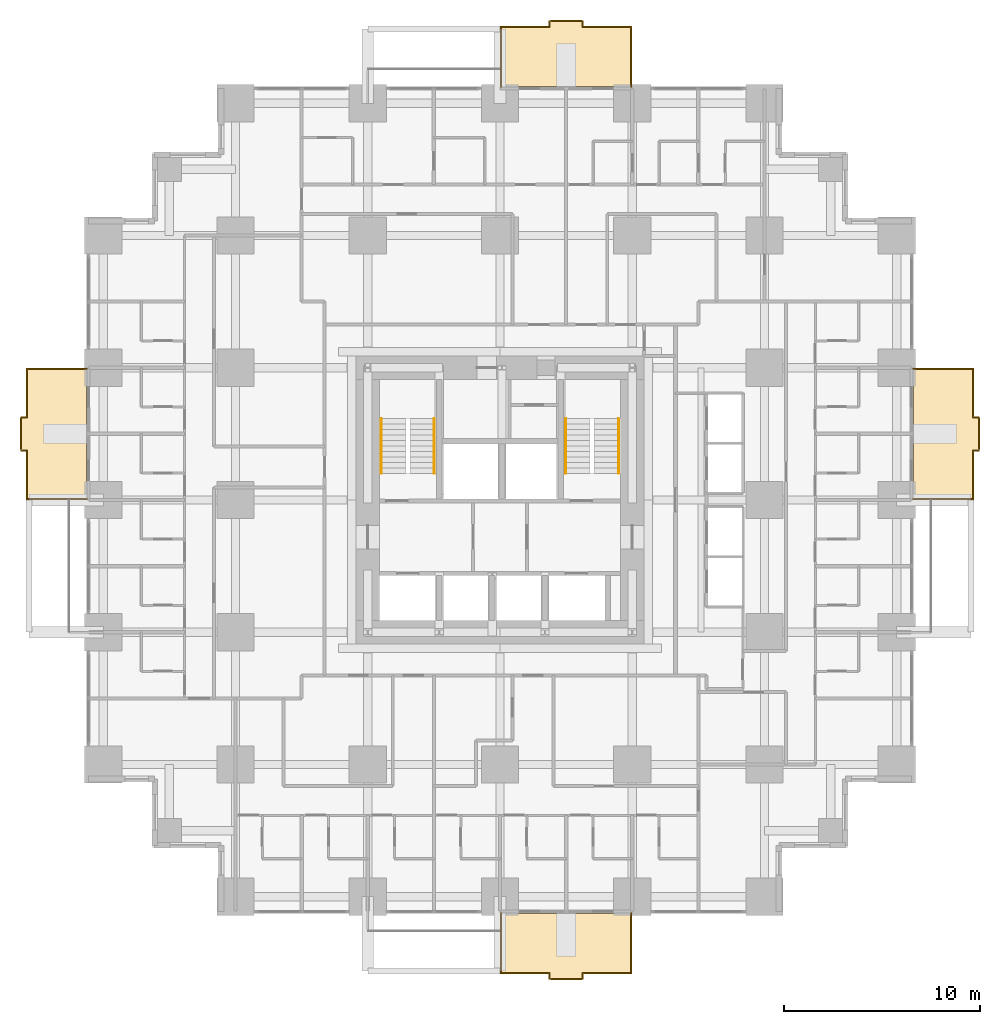
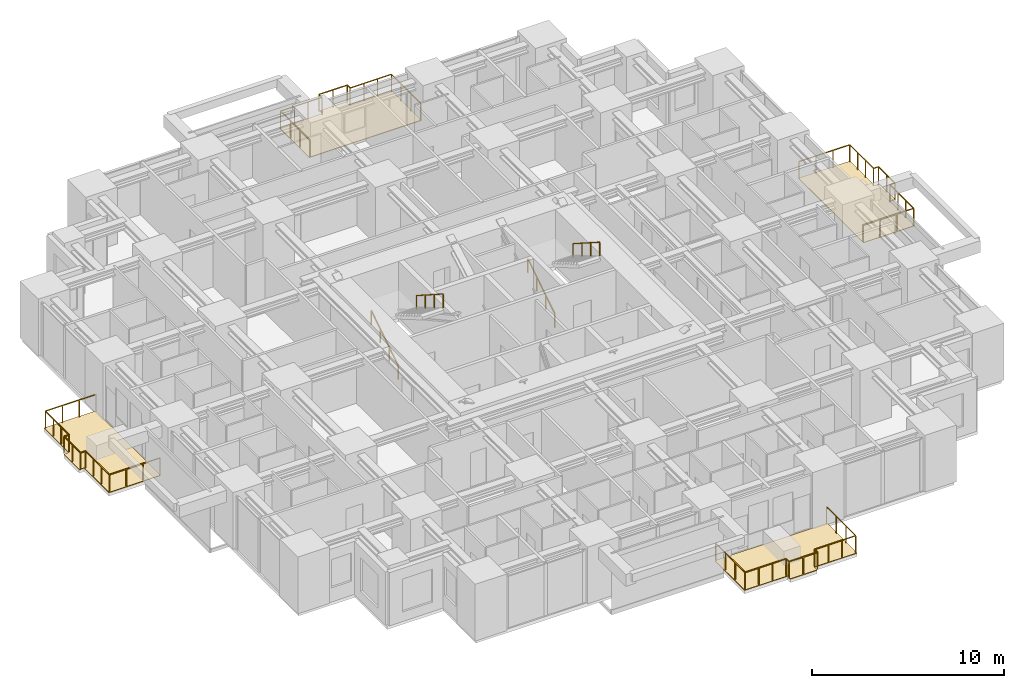
# One storey, part 15 of 15: 8 railings, 4 coverings.
"""IFC4 building model written with IfcOpenShell, lengths in metres."""

import ifcopenshell
import ifcopenshell.guid

model = None  # the IFC model being written
_history = None  # IfcOwnerHistory: only IFC2X3 demands one
_inside = {}  # id of a spatial element -> (the spatial element, [elements in it])
_under = {}  # id of a project, library or spatial element -> (it, [spatial elements below it])
_declared = {}  # id of a project -> (the project, [libraries it declares])
_typed = {}  # id of a type object -> (the type object, [elements of that type])
_made_of = {}  # id of a material, layer set ... -> (it, [elements and type objects made of it])


def new_model(schema):
    """Start an empty IFC model of exactly this schema.

    Asked for "IFC4X3", IfcOpenShell would pick the latest addendum, in which some entities
    have other attributes; the version numbers below select the first issue.
    IFC2X3 requires an IfcOwnerHistory on every rooted entity: one is made here for all.
    """
    global model, _history
    if schema == "IFC4X3":
        model = ifcopenshell.file(schema_version=(4, 3, 0, 0))
    else:
        model = ifcopenshell.file(schema=schema)
    _inside.clear()
    _under.clear()
    _declared.clear()
    _typed.clear()
    _made_of.clear()
    _history = None
    if model.schema == "IFC2X3":
        org = make("IfcOrganization", Name="unknown")
        user = make(
            "IfcPersonAndOrganization",
            ThePerson=make("IfcPerson", FamilyName="unknown"),
            TheOrganization=org,
        )
        app = make(
            "IfcApplication",
            ApplicationDeveloper=org,
            Version="unknown",
            ApplicationFullName="unknown",
            ApplicationIdentifier="unknown",
        )
        _history = make(
            "IfcOwnerHistory",
            OwningUser=user,
            OwningApplication=app,
            ChangeAction="ADDED",
            CreationDate=0,
        )
    return model


def make(cls, **values):
    """One entity of the class cls with the attributes given. An attribute that is None is left unset."""
    return model.create_entity(
        cls, **{name: value for name, value in values.items() if value is not None}
    )


def rooted(cls, **values):
    """An entity with a GlobalId (a new one), such as an element, a storey or a relation."""
    return make(cls, GlobalId=ifcopenshell.guid.new(), OwnerHistory=_history, **values)


def si_unit(unit_type, name, prefix=None):
    """IfcSIUnit, for example si_unit("LENGTHUNIT", "METRE", prefix="MILLI")."""
    return make("IfcSIUnit", UnitType=unit_type, Prefix=prefix, Name=name)


def assignment(units):
    """IfcUnitAssignment: the units of a project."""
    return None if units is None else make("IfcUnitAssignment", Units=units)


def point(xyz):
    """IfcCartesianPoint."""
    return None if xyz is None else make("IfcCartesianPoint", Coordinates=xyz)


def direction(xyz):
    """IfcDirection."""
    return None if xyz is None else make("IfcDirection", DirectionRatios=xyz)


def frame(location, z_axis=None, x_axis=None):
    """IfcAxis2Placement3D, a coordinate frame: its origin and axes. An axis left out is left unset."""
    return make(
        "IfcAxis2Placement3D",
        Location=point(location),
        Axis=direction(z_axis),
        RefDirection=direction(x_axis),
    )


def frame_2d(location, x_axis=None):
    """IfcAxis2Placement2D, a coordinate frame in the plane: its origin and x axis."""
    return make(
        "IfcAxis2Placement2D", Location=point(location), RefDirection=direction(x_axis)
    )


def origin():
    """The frame at (0, 0, 0) with its axes left unset."""
    return frame((0.0, 0.0, 0.0))


def origin_2d():
    """The frame at (0, 0) in the plane with its x axis left unset."""
    return frame_2d((0.0, 0.0))


def place(relative_to, where):
    """IfcLocalPlacement: puts the frame where relative to a parent placement (None: the world)."""
    return make(
        "IfcLocalPlacement", PlacementRelTo=relative_to, RelativePlacement=where
    )


def context(
    kind, dimensions, precision=None, world=None, true_north=None, identifier=None
):
    """IfcGeometricRepresentationContext, for example the 3D "Model" context."""
    return make(
        "IfcGeometricRepresentationContext",
        ContextIdentifier=identifier,
        ContextType=kind,
        CoordinateSpaceDimension=dimensions,
        Precision=precision,
        WorldCoordinateSystem=world,
        TrueNorth=true_north,
    )


def subcontext(parent, identifier, kind, view, scale=None):
    """IfcGeometricRepresentationSubContext, for example "Body" below "Model"."""
    return make(
        "IfcGeometricRepresentationSubContext",
        ContextIdentifier=identifier,
        ContextType=kind,
        ParentContext=parent,
        TargetScale=scale,
        TargetView=view,
    )


def project(units=None, contexts=None):
    """IfcProject with its units and contexts."""
    return rooted(
        "IfcProject",
        Name="project",
        RepresentationContexts=contexts,
        UnitsInContext=assignment(units),
    )


def spatial(cls, under=None, at=None, **own):
    """A site, building, storey or space (cls), placed at a placement, below another one or the project."""
    s = rooted(cls, ObjectPlacement=at, **own)
    if under is not None:
        _under.setdefault(under.id(), (under, []))[1].append(s)
    return s


def polyline(points):
    """IfcPolyline through the points."""
    return make("IfcPolyline", Points=[point(p) for p in points])


def profile(cls, at=None, kind="AREA", **sizes):
    """A parametric profile (cls). Its sizes go by their IFC names, for example OverallWidth=200.0."""
    return make(cls, ProfileType=kind, Position=at, **sizes)


def rectangle(**sizes):
    """IfcRectangleProfileDef."""
    return profile("IfcRectangleProfileDef", **sizes)


def outline(outer, holes=None, kind="AREA"):
    """IfcArbitraryClosedProfileDef: a profile drawn as a closed curve; with holes, ...WithVoids."""
    if holes is None:
        return make("IfcArbitraryClosedProfileDef", ProfileType=kind, OuterCurve=outer)
    return make(
        "IfcArbitraryProfileDefWithVoids",
        ProfileType=kind,
        OuterCurve=outer,
        InnerCurves=holes,
    )


def extrude(swept, where, along, depth):
    """IfcExtrudedAreaSolid: the profile swept, set in the frame where, extruded along a direction by depth."""
    return make(
        "IfcExtrudedAreaSolid",
        SweptArea=swept,
        Position=where,
        ExtrudedDirection=direction(along),
        Depth=depth,
    )


def shape(context_of_items, identifier, shape_type, items):
    """IfcShapeRepresentation: the items that make up one representation, for example the "Body"."""
    return make(
        "IfcShapeRepresentation",
        ContextOfItems=context_of_items,
        RepresentationIdentifier=identifier,
        RepresentationType=shape_type,
        Items=items,
    )


def material(Name=None, Category=None):
    """IfcMaterial."""
    return make("IfcMaterial", Name=Name, Category=Category)


def layer(
    of_material, thickness, ventilated=None, Name=None, Category=None, Priority=None
):
    """IfcMaterialLayer: one layer of a wall or slab, of a material (None: an air gap)."""
    return make(
        "IfcMaterialLayer",
        Material=of_material,
        LayerThickness=thickness,
        IsVentilated=ventilated,
        Name=Name,
        Category=Category,
        Priority=Priority,
    )


def layer_set(layers, Name=None):
    """IfcMaterialLayerSet."""
    return make("IfcMaterialLayerSet", MaterialLayers=layers, LayerSetName=Name)


def made_of(thing, what):
    """Note that an element or type object is made of a material, layer set ...; save() writes the relation."""
    if what is not None:
        _made_of.setdefault(what.id(), (what, []))[1].append(thing)
    return thing


def type_object(cls, material=None, **own):
    """A type object (cls), such as IfcWallType, which elements share."""
    return made_of(rooted(cls, **own), material)


def element(
    cls,
    number,
    at=None,
    inside=None,
    cuts=None,
    type_object=None,
    material=None,
    context=None,
    identifier="Body",
    shape_type=None,
    held_by="IfcProductDefinitionShape",
    body=None,
    shapes=None,
    **own,
):
    """One element of the class cls, such as IfcWall. Its Tag is "e" and its number.

    at: its placement. inside: the storey or other place that contains it. cuts: it is an
    opening in that element (IfcRelVoidsElement). A single representation is given by context,
    identifier, shape_type and body (its items); several are given by shapes. held_by: the class
    of the entity that holds the representations. save() writes the other relations.
    """
    e = rooted(cls, Tag="e%d" % number, ObjectPlacement=at, **own)
    if body is not None:
        shapes = [shape(context, identifier, shape_type, body)]
    if shapes is not None:
        e.Representation = make(held_by, Representations=shapes)
    if inside is not None:
        _inside.setdefault(inside.id(), (inside, []))[1].append(e)
    if cuts is not None:
        rooted(
            "IfcRelVoidsElement", RelatingBuildingElement=cuts, RelatedOpeningElement=e
        )
    if type_object is not None:
        _typed.setdefault(type_object.id(), (type_object, []))[1].append(e)
    return made_of(e, material)


def aggregate(whole, parts):
    """IfcRelAggregates: a whole, such as a stair, and the parts it consists of."""
    return rooted("IfcRelAggregates", RelatingObject=whole, RelatedObjects=parts)


def save(model, path):
    """Write the relations noted so far, then the file.

    IfcRelAggregates (storeys below a building ...), IfcRelContainedInSpatialStructure (elements
    in a storey), IfcRelDefinesByType, IfcRelAssociatesMaterial and IfcRelDeclares: one each for
    every whole, place, type object, material and project.
    """
    for whole, parts in _under.values():
        aggregate(whole, parts)
    for where, things in _inside.values():
        rooted(
            "IfcRelContainedInSpatialStructure",
            RelatedElements=things,
            RelatingStructure=where,
        )
    for kind, things in _typed.values():
        rooted("IfcRelDefinesByType", RelatedObjects=things, RelatingType=kind)
    for what, things in _made_of.values():
        rooted("IfcRelAssociatesMaterial", RelatedObjects=things, RelatingMaterial=what)
    for by, libraries in _declared.values():
        rooted("IfcRelDeclares", RelatingContext=by, RelatedDefinitions=libraries)
    model.write(path)


model = new_model("IFC4")

# Units and contexts
model_context = context("Model", 3, precision=1e-05, world=origin(), true_north=direction((0.0, 1.0)))
body_context = subcontext(model_context, "Body", "Model", "MODEL_VIEW")
ifc_project = project(units=[si_unit("LENGTHUNIT", "METRE"), si_unit("AREAUNIT", "SQUARE_METRE"), si_unit("VOLUMEUNIT", "CUBIC_METRE"), si_unit("PLANEANGLEUNIT", "RADIAN"), si_unit("MASSUNIT", "GRAM", prefix="KILO")], contexts=[model_context])

# Site, building, storey
site_placement = place(None, origin())
site = spatial("IfcSite", under=ifc_project, at=site_placement, CompositionType="ELEMENT")
building_placement = place(site_placement, origin())
building = spatial("IfcBuilding", under=site, at=building_placement, Name="Nyansa Garden Tower", CompositionType="ELEMENT")
storey_placement = place(building_placement, frame((0.0, 0.0, 36.0)))
storey = spatial("IfcBuildingStorey", under=building, at=storey_placement, Name="L09", CompositionType="ELEMENT", Elevation=36.0)

# Coverings
ifc_material_1 = material(Name="Hardwood decking on pedestals", Category="wood")
ifc_layer = layer(ifc_material_1, 0.0400390625)
ifc_layer_set = layer_set([ifc_layer], Name="Balcony decking DK40")
covering_type = type_object("IfcCoveringType", Name="Balcony decking DK40", PredefinedType="FLOORING", material=ifc_layer_set)
covering_1_placement = place(storey_placement, frame((0.0, 0.0, -0.0400390625)))
element("IfcCovering", 1, at=covering_1_placement, inside=storey, type_object=covering_type, Name="Balcony decking L09", PredefinedType="FLOORING", context=body_context, shape_type="SweptSolid", body=[
    extrude(outline(polyline([(20.25, -0.85009765625), (27.0, -0.85009765625), (27.0, -3.949951171875), (24.425048828125, -3.949951171875), (24.425048828125, -4.25), (22.824951171875, -4.25), (22.824951171875, -3.949951171875), (20.25, -3.949951171875), (20.25, -0.85009765625)])), origin(), (0.0, 0.0, 1.0), 0.0400390625),
])
covering_2_placement = place(storey_placement, frame((0.0, 0.0, -0.0400390625)))
element("IfcCovering", 2, at=covering_2_placement, inside=storey, type_object=covering_type, Name="Balcony decking L09", PredefinedType="FLOORING", context=body_context, shape_type="SweptSolid", body=[
    extrude(outline(polyline([(41.35009765625, 20.25), (41.35009765625, 27.0), (44.449951171875, 27.0), (44.449951171875, 24.425048828125), (44.75, 24.425048828125), (44.75, 22.824951171875), (44.449951171875, 22.824951171875), (44.449951171875, 20.25), (41.35009765625, 20.25)])), origin(), (0.0, 0.0, 1.0), 0.0400390625),
])
covering_3_placement = place(storey_placement, frame((0.0, 0.0, -0.0400390625)))
element("IfcCovering", 3, at=covering_3_placement, inside=storey, type_object=covering_type, Name="Balcony decking L09", PredefinedType="FLOORING", context=body_context, shape_type="SweptSolid", body=[
    extrude(outline(polyline([(20.25, 41.35009765625), (27.0, 41.35009765625), (27.0, 44.449951171875), (24.425048828125, 44.449951171875), (24.425048828125, 44.75), (22.824951171875, 44.75), (22.824951171875, 44.449951171875), (20.25, 44.449951171875), (20.25, 41.35009765625)])), origin(), (0.0, 0.0, 1.0), 0.0400390625),
])
covering_4_placement = place(storey_placement, frame((0.0, 0.0, -0.0400390625)))
element("IfcCovering", 4, at=covering_4_placement, inside=storey, type_object=covering_type, Name="Balcony decking L09", PredefinedType="FLOORING", context=body_context, shape_type="SweptSolid", body=[
    extrude(outline(polyline([(-0.85009765625, 20.25), (-0.85009765625, 27.0), (-3.949951171875, 27.0), (-3.949951171875, 24.425048828125), (-4.25, 24.425048828125), (-4.25, 22.824951171875), (-3.949951171875, 22.824951171875), (-3.949951171875, 20.25), (-0.85009765625, 20.25)])), origin(), (0.0, 0.0, 1.0), 0.0400390625),
])

# Railings
ifc_material_2 = material(Name="Black powder-coated steel balusters, laminated glass infill", Category="steel")
railing_type_1 = type_object("IfcRailingType", Name="Balcony guard G1", PredefinedType="GUARDRAIL", material=ifc_material_2)
railing_1_placement = place(storey_placement, frame((20.300048828125, -0.85009765625, 0.0)))
element("IfcRailing", 5, at=railing_1_placement, inside=storey, type_object=railing_type_1, Name="Balcony guard L09", PredefinedType="GUARDRAIL", context=body_context, shape_type="SweptSolid", body=[
    extrude(rectangle(XDim=0.048095703125, YDim=0.048095703125, at=origin_2d()), frame((0.0, 0.0, 1.076171875), z_axis=(0.0, -1.0, 0.0), x_axis=(1.0, 0.0, 0.0)), (0.0, 0.0, 1.0), 3.0498046875),
    extrude(rectangle(XDim=0.048095703125, YDim=0.048095703125, at=origin_2d()), frame((0.0, -3.0498046875, 1.076171875), z_axis=(1.0, 0.0, 0.0), x_axis=(0.0, 1.0, 0.0)), (0.0, 0.0, 1.0), 2.474853515625),
    extrude(rectangle(XDim=0.048095703125, YDim=0.048095703125, at=origin_2d()), frame((2.474853515625, -3.0498046875, 1.076171875), z_axis=(0.0, -1.0, 0.0), x_axis=(1.0, 0.0, 0.0)), (0.0, 0.0, 1.0), 0.300048828125),
    extrude(rectangle(XDim=0.048095703125, YDim=0.048095703125, at=origin_2d()), frame((2.474853515625, -3.349853515625, 1.076171875), z_axis=(1.0, 0.0, 0.0), x_axis=(0.0, 1.0, 0.0)), (0.0, 0.0, 1.0), 1.7001953125),
    extrude(rectangle(XDim=0.048095703125, YDim=0.048095703125, at=origin_2d()), frame((4.175048828125, -3.349853515625, 1.076171875), z_axis=(0.0, 1.0, 0.0), x_axis=(-1.0, 0.0, 0.0)), (0.0, 0.0, 1.0), 0.300048828125),
    extrude(rectangle(XDim=0.048095703125, YDim=0.048095703125, at=origin_2d()), frame((4.175048828125, -3.0498046875, 1.076171875), z_axis=(1.0, 0.0, 0.0), x_axis=(0.0, 1.0, 0.0)), (0.0, 0.0, 1.0), 2.474853515625),
    extrude(rectangle(XDim=0.048095703125, YDim=0.048095703125, at=origin_2d()), frame((6.64990234375, -3.0498046875, 1.076171875), z_axis=(0.0, 1.0, 0.0), x_axis=(-1.0, 0.0, 0.0)), (0.0, 0.0, 1.0), 3.0498046875),
    extrude(rectangle(XDim=0.0419921875, YDim=0.0419921875, at=origin_2d()), origin(), (0.0, 0.0, 1.0), 1.052001953125),
    extrude(rectangle(XDim=0.0419921875, YDim=0.0419921875, at=origin_2d()), frame((0.0, -1.0166015625, 0.0)), (0.0, 0.0, 1.0), 1.052001953125),
    extrude(rectangle(XDim=0.0419921875, YDim=0.0419921875, at=origin_2d()), frame((0.0, -2.033203125, 0.0)), (0.0, 0.0, 1.0), 1.052001953125),
    extrude(rectangle(XDim=0.0419921875, YDim=0.0419921875, at=origin_2d()), frame((0.0, -3.0498046875, 0.0)), (0.0, 0.0, 1.0), 1.052001953125),
    extrude(rectangle(XDim=0.0419921875, YDim=0.0419921875, at=origin_2d()), frame((0.824951171875, -3.0498046875, 0.0)), (0.0, 0.0, 1.0), 1.052001953125),
    extrude(rectangle(XDim=0.0419921875, YDim=0.0419921875, at=origin_2d()), frame((1.64990234375, -3.0498046875, 0.0)), (0.0, 0.0, 1.0), 1.052001953125),
    extrude(rectangle(XDim=0.0419921875, YDim=0.0419921875, at=origin_2d()), frame((2.474853515625, -3.0498046875, 0.0)), (0.0, 0.0, 1.0), 1.052001953125),
    extrude(rectangle(XDim=0.0419921875, YDim=0.0419921875, at=origin_2d()), frame((2.474853515625, -3.349853515625, 0.0)), (0.0, 0.0, 1.0), 1.052001953125),
    extrude(rectangle(XDim=0.0419921875, YDim=0.0419921875, at=origin_2d()), frame((3.324951171875, -3.349853515625, 0.0)), (0.0, 0.0, 1.0), 1.052001953125),
    extrude(rectangle(XDim=0.0419921875, YDim=0.0419921875, at=origin_2d()), frame((4.175048828125, -3.349853515625, 0.0)), (0.0, 0.0, 1.0), 1.052001953125),
    extrude(rectangle(XDim=0.0419921875, YDim=0.0419921875, at=origin_2d()), frame((4.175048828125, -3.0498046875, 0.0)), (0.0, 0.0, 1.0), 1.052001953125),
    extrude(rectangle(XDim=0.0419921875, YDim=0.0419921875, at=origin_2d()), frame((5.0, -3.0498046875, 0.0)), (0.0, 0.0, 1.0), 1.052001953125),
    extrude(rectangle(XDim=0.0419921875, YDim=0.0419921875, at=origin_2d()), frame((5.824951171875, -3.0498046875, 0.0)), (0.0, 0.0, 1.0), 1.052001953125),
    extrude(rectangle(XDim=0.0419921875, YDim=0.0419921875, at=origin_2d()), frame((6.64990234375, -3.0498046875, 0.0)), (0.0, 0.0, 1.0), 1.052001953125),
    extrude(rectangle(XDim=0.0419921875, YDim=0.0419921875, at=origin_2d()), frame((6.64990234375, -2.033203125, 0.0)), (0.0, 0.0, 1.0), 1.052001953125),
    extrude(rectangle(XDim=0.0419921875, YDim=0.0419921875, at=origin_2d()), frame((6.64990234375, -1.0166015625, 0.0)), (0.0, 0.0, 1.0), 1.052001953125),
    extrude(rectangle(XDim=0.0419921875, YDim=0.0419921875, at=origin_2d()), frame((6.64990234375, 0.0, 0.0)), (0.0, 0.0, 1.0), 1.052001953125),
])
railing_2_placement = place(storey_placement, frame((41.35009765625, 20.300048828125, 0.0)))
element("IfcRailing", 6, at=railing_2_placement, inside=storey, type_object=railing_type_1, Name="Balcony guard L09", PredefinedType="GUARDRAIL", context=body_context, shape_type="SweptSolid", body=[
    extrude(rectangle(XDim=0.048095703125, YDim=0.048095703125, at=origin_2d()), frame((0.0, 0.0, 1.076171875), z_axis=(1.0, 0.0, 0.0), x_axis=(0.0, 1.0, 0.0)), (0.0, 0.0, 1.0), 3.0498046875),
    extrude(rectangle(XDim=0.048095703125, YDim=0.048095703125, at=origin_2d()), frame((3.0498046875, 0.0, 1.076171875), z_axis=(0.0, 1.0, 0.0), x_axis=(-1.0, 0.0, 0.0)), (0.0, 0.0, 1.0), 2.474853515625),
    extrude(rectangle(XDim=0.048095703125, YDim=0.048095703125, at=origin_2d()), frame((3.0498046875, 2.474853515625, 1.076171875), z_axis=(1.0, 0.0, 0.0), x_axis=(0.0, 1.0, 0.0)), (0.0, 0.0, 1.0), 0.300048828125),
    extrude(rectangle(XDim=0.048095703125, YDim=0.048095703125, at=origin_2d()), frame((3.349853515625, 2.474853515625, 1.076171875), z_axis=(0.0, 1.0, 0.0), x_axis=(-1.0, 0.0, 0.0)), (0.0, 0.0, 1.0), 1.7001953125),
    extrude(rectangle(XDim=0.048095703125, YDim=0.048095703125, at=origin_2d()), frame((3.349853515625, 4.175048828125, 1.076171875), z_axis=(-1.0, 0.0, 0.0), x_axis=(0.0, -1.0, 0.0)), (0.0, 0.0, 1.0), 0.300048828125),
    extrude(rectangle(XDim=0.048095703125, YDim=0.048095703125, at=origin_2d()), frame((3.0498046875, 4.175048828125, 1.076171875), z_axis=(0.0, 1.0, 0.0), x_axis=(-1.0, 0.0, 0.0)), (0.0, 0.0, 1.0), 2.474853515625),
    extrude(rectangle(XDim=0.048095703125, YDim=0.048095703125, at=origin_2d()), frame((3.0498046875, 6.64990234375, 1.076171875), z_axis=(-1.0, 0.0, 0.0), x_axis=(0.0, -1.0, 0.0)), (0.0, 0.0, 1.0), 3.0498046875),
    extrude(rectangle(XDim=0.0419921875, YDim=0.0419921875, at=origin_2d()), origin(), (0.0, 0.0, 1.0), 1.052001953125),
    extrude(rectangle(XDim=0.0419921875, YDim=0.0419921875, at=origin_2d()), frame((1.0166015625, 0.0, 0.0)), (0.0, 0.0, 1.0), 1.052001953125),
    extrude(rectangle(XDim=0.0419921875, YDim=0.0419921875, at=origin_2d()), frame((2.033203125, 0.0, 0.0)), (0.0, 0.0, 1.0), 1.052001953125),
    extrude(rectangle(XDim=0.0419921875, YDim=0.0419921875, at=origin_2d()), frame((3.0498046875, 0.0, 0.0)), (0.0, 0.0, 1.0), 1.052001953125),
    extrude(rectangle(XDim=0.0419921875, YDim=0.0419921875, at=origin_2d()), frame((3.0498046875, 0.824951171875, 0.0)), (0.0, 0.0, 1.0), 1.052001953125),
    extrude(rectangle(XDim=0.0419921875, YDim=0.0419921875, at=origin_2d()), frame((3.0498046875, 1.64990234375, 0.0)), (0.0, 0.0, 1.0), 1.052001953125),
    extrude(rectangle(XDim=0.0419921875, YDim=0.0419921875, at=origin_2d()), frame((3.0498046875, 2.474853515625, 0.0)), (0.0, 0.0, 1.0), 1.052001953125),
    extrude(rectangle(XDim=0.0419921875, YDim=0.0419921875, at=origin_2d()), frame((3.349853515625, 2.474853515625, 0.0)), (0.0, 0.0, 1.0), 1.052001953125),
    extrude(rectangle(XDim=0.0419921875, YDim=0.0419921875, at=origin_2d()), frame((3.349853515625, 3.324951171875, 0.0)), (0.0, 0.0, 1.0), 1.052001953125),
    extrude(rectangle(XDim=0.0419921875, YDim=0.0419921875, at=origin_2d()), frame((3.349853515625, 4.175048828125, 0.0)), (0.0, 0.0, 1.0), 1.052001953125),
    extrude(rectangle(XDim=0.0419921875, YDim=0.0419921875, at=origin_2d()), frame((3.0498046875, 4.175048828125, 0.0)), (0.0, 0.0, 1.0), 1.052001953125),
    extrude(rectangle(XDim=0.0419921875, YDim=0.0419921875, at=origin_2d()), frame((3.0498046875, 5.0, 0.0)), (0.0, 0.0, 1.0), 1.052001953125),
    extrude(rectangle(XDim=0.0419921875, YDim=0.0419921875, at=origin_2d()), frame((3.0498046875, 5.824951171875, 0.0)), (0.0, 0.0, 1.0), 1.052001953125),
    extrude(rectangle(XDim=0.0419921875, YDim=0.0419921875, at=origin_2d()), frame((3.0498046875, 6.64990234375, 0.0)), (0.0, 0.0, 1.0), 1.052001953125),
    extrude(rectangle(XDim=0.0419921875, YDim=0.0419921875, at=origin_2d()), frame((2.033203125, 6.64990234375, 0.0)), (0.0, 0.0, 1.0), 1.052001953125),
    extrude(rectangle(XDim=0.0419921875, YDim=0.0419921875, at=origin_2d()), frame((1.0166015625, 6.64990234375, 0.0)), (0.0, 0.0, 1.0), 1.052001953125),
    extrude(rectangle(XDim=0.0419921875, YDim=0.0419921875, at=origin_2d()), frame((0.0, 6.64990234375, 0.0)), (0.0, 0.0, 1.0), 1.052001953125),
])
railing_3_placement = place(storey_placement, frame((20.300048828125, 41.35009765625, 0.0)))
element("IfcRailing", 7, at=railing_3_placement, inside=storey, type_object=railing_type_1, Name="Balcony guard L09", PredefinedType="GUARDRAIL", context=body_context, shape_type="SweptSolid", body=[
    extrude(rectangle(XDim=0.048095703125, YDim=0.048095703125, at=origin_2d()), frame((0.0, 0.0, 1.076171875), z_axis=(0.0, 1.0, 0.0), x_axis=(-1.0, 0.0, 0.0)), (0.0, 0.0, 1.0), 3.0498046875),
    extrude(rectangle(XDim=0.048095703125, YDim=0.048095703125, at=origin_2d()), frame((0.0, 3.0498046875, 1.076171875), z_axis=(1.0, 0.0, 0.0), x_axis=(0.0, 1.0, 0.0)), (0.0, 0.0, 1.0), 2.474853515625),
    extrude(rectangle(XDim=0.048095703125, YDim=0.048095703125, at=origin_2d()), frame((2.474853515625, 3.0498046875, 1.076171875), z_axis=(0.0, 1.0, 0.0), x_axis=(-1.0, 0.0, 0.0)), (0.0, 0.0, 1.0), 0.300048828125),
    extrude(rectangle(XDim=0.048095703125, YDim=0.048095703125, at=origin_2d()), frame((2.474853515625, 3.349853515625, 1.076171875), z_axis=(1.0, 0.0, 0.0), x_axis=(0.0, 1.0, 0.0)), (0.0, 0.0, 1.0), 1.7001953125),
    extrude(rectangle(XDim=0.048095703125, YDim=0.048095703125, at=origin_2d()), frame((4.175048828125, 3.349853515625, 1.076171875), z_axis=(0.0, -1.0, 0.0), x_axis=(1.0, 0.0, 0.0)), (0.0, 0.0, 1.0), 0.300048828125),
    extrude(rectangle(XDim=0.048095703125, YDim=0.048095703125, at=origin_2d()), frame((4.175048828125, 3.0498046875, 1.076171875), z_axis=(1.0, 0.0, 0.0), x_axis=(0.0, 1.0, 0.0)), (0.0, 0.0, 1.0), 2.474853515625),
    extrude(rectangle(XDim=0.048095703125, YDim=0.048095703125, at=origin_2d()), frame((6.64990234375, 3.0498046875, 1.076171875), z_axis=(0.0, -1.0, 0.0), x_axis=(1.0, 0.0, 0.0)), (0.0, 0.0, 1.0), 3.0498046875),
    extrude(rectangle(XDim=0.0419921875, YDim=0.0419921875, at=origin_2d()), origin(), (0.0, 0.0, 1.0), 1.052001953125),
    extrude(rectangle(XDim=0.0419921875, YDim=0.0419921875, at=origin_2d()), frame((0.0, 1.0166015625, 0.0)), (0.0, 0.0, 1.0), 1.052001953125),
    extrude(rectangle(XDim=0.0419921875, YDim=0.0419921875, at=origin_2d()), frame((0.0, 2.033203125, 0.0)), (0.0, 0.0, 1.0), 1.052001953125),
    extrude(rectangle(XDim=0.0419921875, YDim=0.0419921875, at=origin_2d()), frame((0.0, 3.0498046875, 0.0)), (0.0, 0.0, 1.0), 1.052001953125),
    extrude(rectangle(XDim=0.0419921875, YDim=0.0419921875, at=origin_2d()), frame((0.824951171875, 3.0498046875, 0.0)), (0.0, 0.0, 1.0), 1.052001953125),
    extrude(rectangle(XDim=0.0419921875, YDim=0.0419921875, at=origin_2d()), frame((1.64990234375, 3.0498046875, 0.0)), (0.0, 0.0, 1.0), 1.052001953125),
    extrude(rectangle(XDim=0.0419921875, YDim=0.0419921875, at=origin_2d()), frame((2.474853515625, 3.0498046875, 0.0)), (0.0, 0.0, 1.0), 1.052001953125),
    extrude(rectangle(XDim=0.0419921875, YDim=0.0419921875, at=origin_2d()), frame((2.474853515625, 3.349853515625, 0.0)), (0.0, 0.0, 1.0), 1.052001953125),
    extrude(rectangle(XDim=0.0419921875, YDim=0.0419921875, at=origin_2d()), frame((3.324951171875, 3.349853515625, 0.0)), (0.0, 0.0, 1.0), 1.052001953125),
    extrude(rectangle(XDim=0.0419921875, YDim=0.0419921875, at=origin_2d()), frame((4.175048828125, 3.349853515625, 0.0)), (0.0, 0.0, 1.0), 1.052001953125),
    extrude(rectangle(XDim=0.0419921875, YDim=0.0419921875, at=origin_2d()), frame((4.175048828125, 3.0498046875, 0.0)), (0.0, 0.0, 1.0), 1.052001953125),
    extrude(rectangle(XDim=0.0419921875, YDim=0.0419921875, at=origin_2d()), frame((5.0, 3.0498046875, 0.0)), (0.0, 0.0, 1.0), 1.052001953125),
    extrude(rectangle(XDim=0.0419921875, YDim=0.0419921875, at=origin_2d()), frame((5.824951171875, 3.0498046875, 0.0)), (0.0, 0.0, 1.0), 1.052001953125),
    extrude(rectangle(XDim=0.0419921875, YDim=0.0419921875, at=origin_2d()), frame((6.64990234375, 3.0498046875, 0.0)), (0.0, 0.0, 1.0), 1.052001953125),
    extrude(rectangle(XDim=0.0419921875, YDim=0.0419921875, at=origin_2d()), frame((6.64990234375, 2.033203125, 0.0)), (0.0, 0.0, 1.0), 1.052001953125),
    extrude(rectangle(XDim=0.0419921875, YDim=0.0419921875, at=origin_2d()), frame((6.64990234375, 1.0166015625, 0.0)), (0.0, 0.0, 1.0), 1.052001953125),
    extrude(rectangle(XDim=0.0419921875, YDim=0.0419921875, at=origin_2d()), frame((6.64990234375, 0.0, 0.0)), (0.0, 0.0, 1.0), 1.052001953125),
])
railing_4_placement = place(storey_placement, frame((-0.85009765625, 20.300048828125, 0.0)))
element("IfcRailing", 8, at=railing_4_placement, inside=storey, type_object=railing_type_1, Name="Balcony guard L09", PredefinedType="GUARDRAIL", context=body_context, shape_type="SweptSolid", body=[
    extrude(rectangle(XDim=0.048095703125, YDim=0.048095703125, at=origin_2d()), frame((0.0, 0.0, 1.076171875), z_axis=(-1.0, 0.0, 0.0), x_axis=(0.0, -1.0, 0.0)), (0.0, 0.0, 1.0), 3.0498046875),
    extrude(rectangle(XDim=0.048095703125, YDim=0.048095703125, at=origin_2d()), frame((-3.0498046875, 0.0, 1.076171875), z_axis=(0.0, 1.0, 0.0), x_axis=(-1.0, 0.0, 0.0)), (0.0, 0.0, 1.0), 2.474853515625),
    extrude(rectangle(XDim=0.048095703125, YDim=0.048095703125, at=origin_2d()), frame((-3.0498046875, 2.474853515625, 1.076171875), z_axis=(-1.0, 0.0, 0.0), x_axis=(0.0, -1.0, 0.0)), (0.0, 0.0, 1.0), 0.300048828125),
    extrude(rectangle(XDim=0.048095703125, YDim=0.048095703125, at=origin_2d()), frame((-3.349853515625, 2.474853515625, 1.076171875), z_axis=(0.0, 1.0, 0.0), x_axis=(-1.0, 0.0, 0.0)), (0.0, 0.0, 1.0), 1.7001953125),
    extrude(rectangle(XDim=0.048095703125, YDim=0.048095703125, at=origin_2d()), frame((-3.349853515625, 4.175048828125, 1.076171875), z_axis=(1.0, 0.0, 0.0), x_axis=(0.0, 1.0, 0.0)), (0.0, 0.0, 1.0), 0.300048828125),
    extrude(rectangle(XDim=0.048095703125, YDim=0.048095703125, at=origin_2d()), frame((-3.0498046875, 4.175048828125, 1.076171875), z_axis=(0.0, 1.0, 0.0), x_axis=(-1.0, 0.0, 0.0)), (0.0, 0.0, 1.0), 2.474853515625),
    extrude(rectangle(XDim=0.048095703125, YDim=0.048095703125, at=origin_2d()), frame((-3.0498046875, 6.64990234375, 1.076171875), z_axis=(1.0, 0.0, 0.0), x_axis=(0.0, 1.0, 0.0)), (0.0, 0.0, 1.0), 3.0498046875),
    extrude(rectangle(XDim=0.0419921875, YDim=0.0419921875, at=origin_2d()), origin(), (0.0, 0.0, 1.0), 1.052001953125),
    extrude(rectangle(XDim=0.0419921875, YDim=0.0419921875, at=origin_2d()), frame((-1.0166015625, 0.0, 0.0)), (0.0, 0.0, 1.0), 1.052001953125),
    extrude(rectangle(XDim=0.0419921875, YDim=0.0419921875, at=origin_2d()), frame((-2.033203125, 0.0, 0.0)), (0.0, 0.0, 1.0), 1.052001953125),
    extrude(rectangle(XDim=0.0419921875, YDim=0.0419921875, at=origin_2d()), frame((-3.0498046875, 0.0, 0.0)), (0.0, 0.0, 1.0), 1.052001953125),
    extrude(rectangle(XDim=0.0419921875, YDim=0.0419921875, at=origin_2d()), frame((-3.0498046875, 0.824951171875, 0.0)), (0.0, 0.0, 1.0), 1.052001953125),
    extrude(rectangle(XDim=0.0419921875, YDim=0.0419921875, at=origin_2d()), frame((-3.0498046875, 1.64990234375, 0.0)), (0.0, 0.0, 1.0), 1.052001953125),
    extrude(rectangle(XDim=0.0419921875, YDim=0.0419921875, at=origin_2d()), frame((-3.0498046875, 2.474853515625, 0.0)), (0.0, 0.0, 1.0), 1.052001953125),
    extrude(rectangle(XDim=0.0419921875, YDim=0.0419921875, at=origin_2d()), frame((-3.349853515625, 2.474853515625, 0.0)), (0.0, 0.0, 1.0), 1.052001953125),
    extrude(rectangle(XDim=0.0419921875, YDim=0.0419921875, at=origin_2d()), frame((-3.349853515625, 3.324951171875, 0.0)), (0.0, 0.0, 1.0), 1.052001953125),
    extrude(rectangle(XDim=0.0419921875, YDim=0.0419921875, at=origin_2d()), frame((-3.349853515625, 4.175048828125, 0.0)), (0.0, 0.0, 1.0), 1.052001953125),
    extrude(rectangle(XDim=0.0419921875, YDim=0.0419921875, at=origin_2d()), frame((-3.0498046875, 4.175048828125, 0.0)), (0.0, 0.0, 1.0), 1.052001953125),
    extrude(rectangle(XDim=0.0419921875, YDim=0.0419921875, at=origin_2d()), frame((-3.0498046875, 5.0, 0.0)), (0.0, 0.0, 1.0), 1.052001953125),
    extrude(rectangle(XDim=0.0419921875, YDim=0.0419921875, at=origin_2d()), frame((-3.0498046875, 5.824951171875, 0.0)), (0.0, 0.0, 1.0), 1.052001953125),
    extrude(rectangle(XDim=0.0419921875, YDim=0.0419921875, at=origin_2d()), frame((-3.0498046875, 6.64990234375, 0.0)), (0.0, 0.0, 1.0), 1.052001953125),
    extrude(rectangle(XDim=0.0419921875, YDim=0.0419921875, at=origin_2d()), frame((-2.033203125, 6.64990234375, 0.0)), (0.0, 0.0, 1.0), 1.052001953125),
    extrude(rectangle(XDim=0.0419921875, YDim=0.0419921875, at=origin_2d()), frame((-1.0166015625, 6.64990234375, 0.0)), (0.0, 0.0, 1.0), 1.052001953125),
    extrude(rectangle(XDim=0.0419921875, YDim=0.0419921875, at=origin_2d()), frame((0.0, 6.64990234375, 0.0)), (0.0, 0.0, 1.0), 1.052001953125),
])
ifc_material_3 = material(Name="Black powder-coated steel tube 48 mm", Category="steel")
railing_type_2 = type_object("IfcRailingType", Name="Stair handrail HR1", PredefinedType="HANDRAIL", material=ifc_material_3)
railing_5_placement = place(storey_placement, frame((14.199951171875, 21.60009765625, 0.0)))
element("IfcRailing", 9, at=railing_5_placement, inside=storey, type_object=railing_type_2, Name="Stair S1 handrail L09", PredefinedType="HANDRAIL", context=body_context, shape_type="SweptSolid", body=[
    extrude(rectangle(XDim=0.048095703125, YDim=0.048095703125, at=origin_2d()), frame((0.0, 0.0, 0.8759765625), z_axis=(0.0, 0.841154643086, 0.54079466197), x_axis=(-1.0, 0.0, 0.0)), (0.0, 0.0, 1.0), 3.32861328125),
    extrude(rectangle(XDim=0.0419921875, YDim=0.0419921875, at=origin_2d()), origin(), (0.0, 0.0, 1.0), 0.851806640625),
    extrude(rectangle(XDim=0.0419921875, YDim=0.0419921875, at=origin_2d()), frame((0.0, 0.933349609375, 0.60009765625)), (0.0, 0.0, 1.0), 0.851806640625),
    extrude(rectangle(XDim=0.0419921875, YDim=0.0419921875, at=origin_2d()), frame((0.0, 1.866455078125, 1.199951171875)), (0.0, 0.0, 1.0), 0.851806640625),
    extrude(rectangle(XDim=0.0419921875, YDim=0.0419921875, at=origin_2d()), frame((0.0, 2.7998046875, 1.800048828125)), (0.0, 0.0, 1.0), 0.851806640625),
])
railing_6_placement = place(storey_placement, frame((16.89990234375, 24.39990234375, 1.800048828125)))
element("IfcRailing", 10, at=railing_6_placement, inside=storey, type_object=railing_type_2, Name="Stair S1 handrail L09", PredefinedType="HANDRAIL", context=body_context, shape_type="SweptSolid", body=[
    extrude(rectangle(XDim=0.048095703125, YDim=0.048095703125, at=origin_2d()), frame((0.0, 0.0, 0.8759765625), z_axis=(0.0, -0.841154643086, 0.54079466197), x_axis=(1.0, 0.0, 0.0)), (0.0, 0.0, 1.0), 3.32861328125),
    extrude(rectangle(XDim=0.0419921875, YDim=0.0419921875, at=origin_2d()), origin(), (0.0, 0.0, 1.0), 0.851806640625),
    extrude(rectangle(XDim=0.0419921875, YDim=0.0419921875, at=origin_2d()), frame((0.0, -0.933349609375, 0.60009765625)), (0.0, 0.0, 1.0), 0.851806640625),
    extrude(rectangle(XDim=0.0419921875, YDim=0.0419921875, at=origin_2d()), frame((0.0, -1.866455078125, 1.199951171875)), (0.0, 0.0, 1.0), 0.851806640625),
    extrude(rectangle(XDim=0.0419921875, YDim=0.0419921875, at=origin_2d()), frame((0.0, -2.7998046875, 1.800048828125)), (0.0, 0.0, 1.0), 0.851806640625),
])
railing_7_placement = place(storey_placement, frame((23.60009765625, 21.60009765625, 0.0)))
element("IfcRailing", 11, at=railing_7_placement, inside=storey, type_object=railing_type_2, Name="Stair S2 handrail L09", PredefinedType="HANDRAIL", context=body_context, shape_type="SweptSolid", body=[
    extrude(rectangle(XDim=0.048095703125, YDim=0.048095703125, at=origin_2d()), frame((0.0, 0.0, 0.8759765625), z_axis=(0.0, 0.841154643086, 0.54079466197), x_axis=(-1.0, 0.0, 0.0)), (0.0, 0.0, 1.0), 3.32861328125),
    extrude(rectangle(XDim=0.0419921875, YDim=0.0419921875, at=origin_2d()), origin(), (0.0, 0.0, 1.0), 0.851806640625),
    extrude(rectangle(XDim=0.0419921875, YDim=0.0419921875, at=origin_2d()), frame((0.0, 0.933349609375, 0.60009765625)), (0.0, 0.0, 1.0), 0.851806640625),
    extrude(rectangle(XDim=0.0419921875, YDim=0.0419921875, at=origin_2d()), frame((0.0, 1.866455078125, 1.199951171875)), (0.0, 0.0, 1.0), 0.851806640625),
    extrude(rectangle(XDim=0.0419921875, YDim=0.0419921875, at=origin_2d()), frame((0.0, 2.7998046875, 1.800048828125)), (0.0, 0.0, 1.0), 0.851806640625),
])
railing_8_placement = place(storey_placement, frame((26.300048828125, 24.39990234375, 1.800048828125)))
element("IfcRailing", 12, at=railing_8_placement, inside=storey, type_object=railing_type_2, Name="Stair S2 handrail L09", PredefinedType="HANDRAIL", context=body_context, shape_type="SweptSolid", body=[
    extrude(rectangle(XDim=0.048095703125, YDim=0.048095703125, at=origin_2d()), frame((0.0, 0.0, 0.8759765625), z_axis=(0.0, -0.841154643086, 0.54079466197), x_axis=(1.0, 0.0, 0.0)), (0.0, 0.0, 1.0), 3.32861328125),
    extrude(rectangle(XDim=0.0419921875, YDim=0.0419921875, at=origin_2d()), origin(), (0.0, 0.0, 1.0), 0.851806640625),
    extrude(rectangle(XDim=0.0419921875, YDim=0.0419921875, at=origin_2d()), frame((0.0, -0.933349609375, 0.60009765625)), (0.0, 0.0, 1.0), 0.851806640625),
    extrude(rectangle(XDim=0.0419921875, YDim=0.0419921875, at=origin_2d()), frame((0.0, -1.866455078125, 1.199951171875)), (0.0, 0.0, 1.0), 0.851806640625),
    extrude(rectangle(XDim=0.0419921875, YDim=0.0419921875, at=origin_2d()), frame((0.0, -2.7998046875, 1.800048828125)), (0.0, 0.0, 1.0), 0.851806640625),
])

save(model, "model.ifc")
